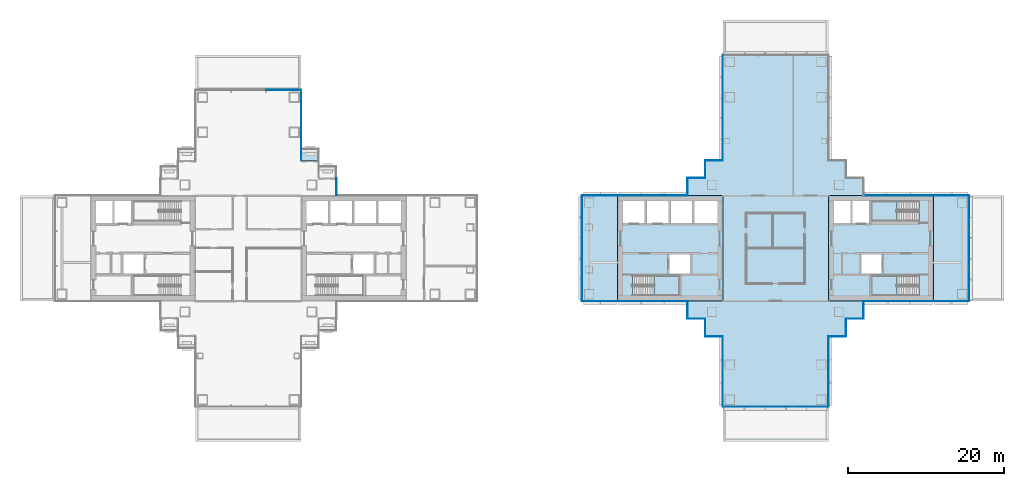
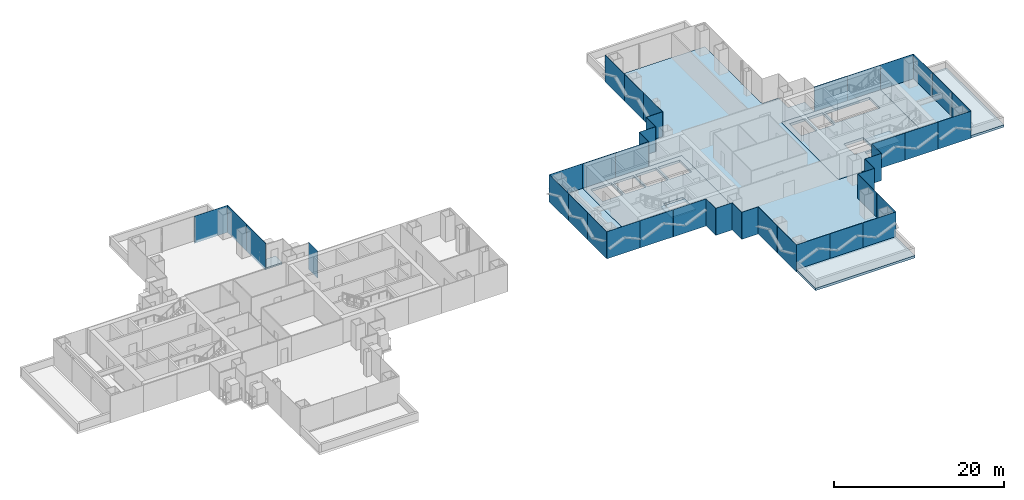
# One storey, part 9 of 20: 44 plates, 11 slabs, 23 elements without a shape of their own.
"""IFC4 building model written with IfcOpenShell, lengths in metres."""

from ifc_helpers import new_model, si_unit, direction, frame, origin, origin_2d, place, context, subcontext, project, spatial, polyline, rectangle, outline, extrude, material, layer, layer_set, type_object, element, aggregate, save


model = new_model("IFC4")

# Units and contexts
model_context = context("Model", 3, precision=1e-05, world=origin(), true_north=direction((0.0, 1.0)))
body_context = subcontext(model_context, "Body", "Model", "MODEL_VIEW")
ifc_project = project(units=[si_unit("LENGTHUNIT", "METRE"), si_unit("AREAUNIT", "SQUARE_METRE"), si_unit("VOLUMEUNIT", "CUBIC_METRE"), si_unit("PLANEANGLEUNIT", "RADIAN"), si_unit("MASSUNIT", "GRAM", prefix="KILO")], contexts=[model_context])

# Site, building, storey
site_placement = place(None, origin())
site = spatial("IfcSite", under=ifc_project, at=site_placement, CompositionType="ELEMENT")
building_placement = place(site_placement, origin())
building = spatial("IfcBuilding", under=site, at=building_placement, Name="Shamsa Quay Exchange Towers", CompositionType="ELEMENT")
storey_placement = place(building_placement, frame((0.0, 0.0, 81.89990234375)))
storey = spatial("IfcBuildingStorey", under=building, at=storey_placement, Name="L18", CompositionType="ELEMENT", Elevation=81.89990234375)

# Slabs
ifc_material_1 = material(Name="Precast concrete C40/50", Category="concrete")
ifc_layer_1 = layer(ifc_material_1, 0.25)
ifc_layer_set_1 = layer_set([ifc_layer_1], Name="BALCONY SLAB 250")
slab_type_1 = type_object("IfcSlabType", Name="BALCONY SLAB 250", PredefinedType="FLOOR", material=ifc_layer_set_1)
slab_1_placement = place(storey_placement, frame((0.0, 0.0, -0.25)))
element("IfcSlab", 1, at=slab_1_placement, inside=storey, type_object=slab_type_1, Name="Balcony T1-PKEN L18", PredefinedType="FLOOR", context=body_context, shape_type="SweptSolid", body=[
    extrude(outline(polyline([(-24.75, 11.25), (-26.9619140625, 11.25), (-26.9619140625, 12.800048828125), (-24.75, 12.800048828125), (-24.75, 11.25)])), origin(), (0.0, 0.0, 1.0), 0.25),
])
ifc_material_2 = material(Name="Concrete C50/60", Category="concrete")
ifc_layer_2 = layer(ifc_material_2, 0.35009765625)
ifc_layer_set_2 = layer_set([ifc_layer_2], Name="CORE FLOOR 350 C50/60")
slab_type_2 = type_object("IfcSlabType", Name="CORE FLOOR 350 C50/60", PredefinedType="FLOOR", material=ifc_layer_set_2)
slab_2_placement = place(storey_placement, frame((0.0, 0.0, -0.349853515625)))
element("IfcSlab", 2, at=slab_2_placement, inside=storey, type_object=slab_type_2, Name="Core floor T2A", PredefinedType="FLOOR", context=body_context, shape_type="SweptSolid", body=[
    extrude(outline(polyline([(13.5, -6.75), (27.0, -6.75), (27.0, 6.75), (13.5, 6.75), (13.5, -6.75)]), holes=[polyline([(15.400634765625, -6.050048828125), (15.400634765625, -3.5), (21.5, -3.5), (21.5, -6.050048828125), (15.400634765625, -6.050048828125)]), polyline([(14.199951171875, 3.25), (14.199951171875, 6.050048828125), (17.0, 6.050048828125), (17.0, 3.25), (14.199951171875, 3.25)]), polyline([(17.25, 3.25), (17.25, 6.050048828125), (20.050048828125, 6.050048828125), (20.050048828125, 3.25), (17.25, 3.25)]), polyline([(20.300048828125, 3.25), (20.300048828125, 6.050048828125), (23.10009765625, 6.050048828125), (23.10009765625, 3.25), (20.300048828125, 3.25)]), polyline([(23.35009765625, 3.25), (23.35009765625, 6.050048828125), (26.300048828125, 6.050048828125), (26.300048828125, 3.25), (23.35009765625, 3.25)]), polyline([(20.14990234375, -3.25), (20.14990234375, -0.75), (22.800048828125, -0.75), (22.800048828125, -3.25), (20.14990234375, -3.25)])]), origin(), (0.0, 0.0, 1.0), 0.349853515625),
])
slab_3_placement = place(storey_placement, frame((0.0, 0.0, -0.349853515625)))
element("IfcSlab", 3, at=slab_3_placement, inside=storey, type_object=slab_type_2, Name="Core floor T2B", PredefinedType="FLOOR", context=body_context, shape_type="SweptSolid", body=[
    extrude(outline(polyline([(54.0, -6.75), (54.0, 6.75), (40.5, 6.75), (40.5, -6.75), (54.0, -6.75)]), holes=[polyline([(52.099365234375, -3.5), (52.099365234375, -6.050048828125), (46.0, -6.050048828125), (46.0, -3.5), (52.099365234375, -3.5)]), polyline([(52.099365234375, 6.050048828125), (52.099365234375, 3.5), (46.0, 3.5), (46.0, 6.050048828125), (52.099365234375, 6.050048828125)]), polyline([(45.75, 3.25), (43.60009765625, 3.25), (43.60009765625, 6.050048828125), (45.75, 6.050048828125), (45.75, 3.25)]), polyline([(43.35009765625, 3.25), (41.199951171875, 3.25), (41.199951171875, 6.050048828125), (43.35009765625, 6.050048828125), (43.35009765625, 3.25)]), polyline([(47.35009765625, -3.25), (44.699951171875, -3.25), (44.699951171875, -0.75), (47.35009765625, -0.75), (47.35009765625, -3.25)])]), origin(), (0.0, 0.0, 1.0), 0.349853515625),
])

# Stair, slab
ifc_material_3 = material(Name="Concrete C40/50", Category="concrete")
stair_type = type_object("IfcStairType", Name="EXIT STAIR 22 RISERS 177 MM", PredefinedType="HALF_TURN_STAIR", material=ifc_material_3)
stair_1_placement = place(storey_placement, origin())
stair_1 = element("IfcStair", 4, at=stair_1_placement, inside=storey, type_object=stair_type, Name="L18 Exit stair ST4", PredefinedType="HALF_TURN_STAIR")
ifc_layer_3 = layer(ifc_material_3, 0.199951171875)
ifc_layer_set_3 = layer_set([ifc_layer_3], Name="CORE STAIR LANDING")
slab_type_3 = type_object("IfcSlabType", Name="CORE STAIR LANDING", PredefinedType="LANDING", material=ifc_layer_set_3)
slab_4_placement = place(storey_placement, frame((0.0, 0.0, 1.75)))
slab_4 = element("IfcSlab", 5, at=slab_4_placement, type_object=slab_type_3, Name="ST4 landing 1", PredefinedType="LANDING", context=body_context, shape_type="SweptSolid", body=[
    extrude(outline(polyline([(18.199951171875, -6.050048828125), (21.5, -6.050048828125), (21.5, -3.5), (18.199951171875, -3.5), (18.199951171875, -6.050048828125)])), origin(), (0.0, 0.0, 1.0), 0.2001953125),
])
aggregate(stair_1, [slab_4])

stair_2_placement = place(storey_placement, origin())
stair_2 = element("IfcStair", 6, at=stair_2_placement, inside=storey, type_object=stair_type, Name="L18 Exit stair ST5", PredefinedType="HALF_TURN_STAIR")
slab_5_placement = place(storey_placement, frame((0.0, 0.0, 1.75)))
slab_5 = element("IfcSlab", 7, at=slab_5_placement, type_object=slab_type_3, Name="ST5 landing 1", PredefinedType="LANDING", context=body_context, shape_type="SweptSolid", body=[
    extrude(outline(polyline([(49.300048828125, -3.5), (46.0, -3.5), (46.0, -6.050048828125), (49.300048828125, -6.050048828125), (49.300048828125, -3.5)])), origin(), (0.0, 0.0, 1.0), 0.2001953125),
])
aggregate(stair_2, [slab_5])

stair_3_placement = place(storey_placement, origin())
stair_3 = element("IfcStair", 8, at=stair_3_placement, inside=storey, type_object=stair_type, Name="L18 Exit stair ST6", PredefinedType="HALF_TURN_STAIR")
slab_6_placement = place(storey_placement, frame((0.0, 0.0, 1.75)))
slab_6 = element("IfcSlab", 9, at=slab_6_placement, type_object=slab_type_3, Name="ST6 landing 1", PredefinedType="LANDING", context=body_context, shape_type="SweptSolid", body=[
    extrude(outline(polyline([(49.300048828125, 6.050048828125), (46.0, 6.050048828125), (46.0, 3.5), (49.300048828125, 3.5), (49.300048828125, 6.050048828125)])), origin(), (0.0, 0.0, 1.0), 0.2001953125),
])
aggregate(stair_3, [slab_6])

# Curtain wall, plates
ifc_material_4 = material(Name="Aluminium EN AW-6063 T6, black anodised", Category="aluminium")
ifc_layer_4 = layer(ifc_material_4, 0.280029296875)
ifc_layer_set_4 = layer_set([ifc_layer_4], Name="CW-1 UNITISED VISION GLASS")
curtain_wall_type_1 = type_object("IfcCurtainWallType", Name="CW-1 UNITISED VISION GLASS", PredefinedType="NOTDEFINED", material=ifc_layer_set_4)
curtain_wall_1_placement = place(storey_placement, origin())
curtain_wall_1 = element("IfcCurtainWall", 10, at=curtain_wall_1_placement, inside=storey, type_object=curtain_wall_type_1, Name="CW1 T1-FLK-V+E L18", PredefinedType="NOTDEFINED")
ifc_material_5 = material(Name="Glass, laminated, dark tinted", Category="glass")
ifc_layer_5 = layer(ifc_material_5, 0.0400390625)
ifc_layer_set_5 = layer_set([ifc_layer_5], Name="CW-1 VISION GLASS 40")
plate_type_1 = type_object("IfcPlateType", Name="CW-1 VISION GLASS 40", PredefinedType="CURTAIN_PANEL", material=ifc_layer_set_5)
plate_1_placement = place(storey_placement, frame((-26.97998046875, 13.52587890625, -0.349853515625), z_axis=(0.0, 0.0, 1.0), x_axis=(0.0, 1.0, 0.0)))
plate_1 = element("IfcPlate", 11, at=plate_1_placement, type_object=plate_type_1, Name="CW1 glass panel", PredefinedType="CURTAIN_PANEL", context=body_context, shape_type="SweptSolid", body=[
    extrude(rectangle(XDim=4.47607421875, YDim=0.0400390625, at=origin_2d()), origin(), (0.0, 0.0, 1.0), 3.89990234375),
])
plate_2_placement = place(storey_placement, frame((-26.97998046875, 18.011962890625, -0.349853515625), z_axis=(0.0, 0.0, 1.0), x_axis=(0.0, 1.0, 0.0)))
plate_2 = element("IfcPlate", 12, at=plate_2_placement, type_object=plate_type_1, Name="CW1 glass panel", PredefinedType="CURTAIN_PANEL", context=body_context, shape_type="SweptSolid", body=[
    extrude(rectangle(XDim=4.47607421875, YDim=0.0400390625, at=origin_2d()), origin(), (0.0, 0.0, 1.0), 3.89990234375),
])
aggregate(curtain_wall_1, [plate_1, plate_2])

# Curtain wall, plate
curtain_wall_2_placement = place(storey_placement, origin())
curtain_wall_2 = element("IfcCurtainWall", 13, at=curtain_wall_2_placement, inside=storey, type_object=curtain_wall_type_1, Name="CW1 T1-END-V+ L18", PredefinedType="NOTDEFINED")
plate_3_placement = place(storey_placement, frame((-29.24755859375, 20.27001953125, -0.349853515625), z_axis=(0.0, 0.0, 1.0), x_axis=(-1.0, 0.0, 0.0)))
plate_3 = element("IfcPlate", 14, at=plate_3_placement, type_object=plate_type_1, Name="CW1 glass panel", PredefinedType="CURTAIN_PANEL", context=body_context, shape_type="SweptSolid", body=[
    extrude(rectangle(XDim=4.4951171875, YDim=0.0400390625, at=origin_2d()), origin(), (0.0, 0.0, 1.0), 3.89990234375),
])
aggregate(curtain_wall_2, [plate_3])

curtain_wall_3_placement = place(storey_placement, origin())
curtain_wall_3 = element("IfcCurtainWall", 15, at=curtain_wall_3_placement, inside=storey, type_object=curtain_wall_type_1, Name="CW1 T2-FLK-V-W L18", PredefinedType="NOTDEFINED")
plate_4_placement = place(storey_placement, frame((56.25, -6.77001953125, -0.349853515625)))
plate_4 = element("IfcPlate", 16, at=plate_4_placement, type_object=plate_type_1, Name="CW1 glass panel", PredefinedType="CURTAIN_PANEL", context=body_context, shape_type="SweptSolid", body=[
    extrude(rectangle(XDim=4.5, YDim=0.0400390625, at=origin_2d()), origin(), (0.0, 0.0, 1.0), 3.89990234375),
])
aggregate(curtain_wall_3, [plate_4])

# Curtain wall, plates
curtain_wall_4_placement = place(storey_placement, origin())
curtain_wall_4 = element("IfcCurtainWall", 17, at=curtain_wall_4_placement, inside=storey, type_object=curtain_wall_type_1, Name="CW1 T2-END-V- L18", PredefinedType="NOTDEFINED")
plate_5_placement = place(storey_placement, frame((58.52001953125, -4.50244140625, -0.349853515625), z_axis=(0.0, 0.0, 1.0), x_axis=(0.0, 1.0, 0.0)))
plate_5 = element("IfcPlate", 18, at=plate_5_placement, type_object=plate_type_1, Name="CW1 glass panel", PredefinedType="CURTAIN_PANEL", context=body_context, shape_type="SweptSolid", body=[
    extrude(rectangle(XDim=4.4951171875, YDim=0.0400390625, at=origin_2d()), origin(), (0.0, 0.0, 1.0), 3.89990234375),
])
plate_6_placement = place(storey_placement, frame((58.52001953125, 0.0, -0.349853515625), z_axis=(0.0, 0.0, 1.0), x_axis=(0.0, 1.0, 0.0)))
plate_6 = element("IfcPlate", 19, at=plate_6_placement, type_object=plate_type_1, Name="CW1 glass panel", PredefinedType="CURTAIN_PANEL", context=body_context, shape_type="SweptSolid", body=[
    extrude(rectangle(XDim=4.489990234375, YDim=0.0400390625, at=origin_2d()), origin(), (0.0, 0.0, 1.0), 3.89990234375),
])
plate_7_placement = place(storey_placement, frame((58.52001953125, 4.50244140625, -0.349853515625), z_axis=(0.0, 0.0, 1.0), x_axis=(0.0, 1.0, 0.0)))
plate_7 = element("IfcPlate", 20, at=plate_7_placement, type_object=plate_type_1, Name="CW1 glass panel", PredefinedType="CURTAIN_PANEL", context=body_context, shape_type="SweptSolid", body=[
    extrude(rectangle(XDim=4.4951171875, YDim=0.0400390625, at=origin_2d()), origin(), (0.0, 0.0, 1.0), 3.89990234375),
])
aggregate(curtain_wall_4, [plate_5, plate_6, plate_7])

# Curtain wall, plate
curtain_wall_5_placement = place(storey_placement, origin())
curtain_wall_5 = element("IfcCurtainWall", 21, at=curtain_wall_5_placement, inside=storey, type_object=curtain_wall_type_1, Name="CW1 T2-FLK-V-E L18", PredefinedType="NOTDEFINED")
plate_8_placement = place(storey_placement, frame((56.25, 6.77001953125, -0.349853515625), z_axis=(0.0, 0.0, 1.0), x_axis=(-1.0, 0.0, 0.0)))
plate_8 = element("IfcPlate", 22, at=plate_8_placement, type_object=plate_type_1, Name="CW1 glass panel", PredefinedType="CURTAIN_PANEL", context=body_context, shape_type="SweptSolid", body=[
    extrude(rectangle(XDim=4.5, YDim=0.0400390625, at=origin_2d()), origin(), (0.0, 0.0, 1.0), 3.89990234375),
])
aggregate(curtain_wall_5, [plate_8])

# Curtain wall, plates
curtain_wall_6_placement = place(storey_placement, origin())
curtain_wall_6 = element("IfcCurtainWall", 23, at=curtain_wall_6_placement, inside=storey, type_object=curtain_wall_type_1, Name="CW1 T2-FLK-U+N L18", PredefinedType="NOTDEFINED")
plate_9_placement = place(storey_placement, frame((26.97998046875, 22.50244140625, -0.349853515625), z_axis=(0.0, 0.0, 1.0), x_axis=(0.0, -1.0, 0.0)))
plate_9 = element("IfcPlate", 24, at=plate_9_placement, type_object=plate_type_1, Name="CW1 glass panel", PredefinedType="CURTAIN_PANEL", context=body_context, shape_type="SweptSolid", body=[
    extrude(rectangle(XDim=4.4951171875, YDim=0.0400390625, at=origin_2d()), origin(), (0.0, 0.0, 1.0), 3.89990234375),
])
plate_10_placement = place(storey_placement, frame((26.97998046875, 18.0, -0.349853515625), z_axis=(0.0, 0.0, 1.0), x_axis=(0.0, -1.0, 0.0)))
plate_10 = element("IfcPlate", 25, at=plate_10_placement, type_object=plate_type_1, Name="CW1 glass panel", PredefinedType="CURTAIN_PANEL", context=body_context, shape_type="SweptSolid", body=[
    extrude(rectangle(XDim=4.489990234375, YDim=0.0400390625, at=origin_2d()), origin(), (0.0, 0.0, 1.0), 3.89990234375),
])
plate_11_placement = place(storey_placement, frame((26.97998046875, 13.49755859375, -0.349853515625), z_axis=(0.0, 0.0, 1.0), x_axis=(0.0, -1.0, 0.0)))
plate_11 = element("IfcPlate", 26, at=plate_11_placement, type_object=plate_type_1, Name="CW1 glass panel", PredefinedType="CURTAIN_PANEL", context=body_context, shape_type="SweptSolid", body=[
    extrude(rectangle(XDim=4.4951171875, YDim=0.0400390625, at=origin_2d()), origin(), (0.0, 0.0, 1.0), 3.89990234375),
])
aggregate(curtain_wall_6, [plate_9, plate_10, plate_11])

# Curtain wall, plate
curtain_wall_7_placement = place(storey_placement, origin())
curtain_wall_7 = element("IfcCurtainWall", 27, at=curtain_wall_7_placement, inside=storey, type_object=curtain_wall_type_1, Name="CW1 T2-FLK-V+E L18", PredefinedType="NOTDEFINED")
plate_12_placement = place(storey_placement, frame((11.25, 6.77001953125, -0.349853515625), z_axis=(0.0, 0.0, 1.0), x_axis=(-1.0, 0.0, 0.0)))
plate_12 = element("IfcPlate", 28, at=plate_12_placement, type_object=plate_type_1, Name="CW1 glass panel", PredefinedType="CURTAIN_PANEL", context=body_context, shape_type="SweptSolid", body=[
    extrude(rectangle(XDim=4.5, YDim=0.0400390625, at=origin_2d()), origin(), (0.0, 0.0, 1.0), 3.89990234375),
])
aggregate(curtain_wall_7, [plate_12])

# Curtain wall, plates
curtain_wall_8_placement = place(storey_placement, origin())
curtain_wall_8 = element("IfcCurtainWall", 29, at=curtain_wall_8_placement, inside=storey, type_object=curtain_wall_type_1, Name="CW1 T2-END-V+ L18", PredefinedType="NOTDEFINED")
plate_13_placement = place(storey_placement, frame((8.97998046875, 4.50244140625, -0.349853515625), z_axis=(0.0, 0.0, 1.0), x_axis=(0.0, -1.0, 0.0)))
plate_13 = element("IfcPlate", 30, at=plate_13_placement, type_object=plate_type_1, Name="CW1 glass panel", PredefinedType="CURTAIN_PANEL", context=body_context, shape_type="SweptSolid", body=[
    extrude(rectangle(XDim=4.4951171875, YDim=0.0400390625, at=origin_2d()), origin(), (0.0, 0.0, 1.0), 3.89990234375),
])
plate_14_placement = place(storey_placement, frame((8.97998046875, 0.0, -0.349853515625), z_axis=(0.0, 0.0, 1.0), x_axis=(0.0, -1.0, 0.0)))
plate_14 = element("IfcPlate", 31, at=plate_14_placement, type_object=plate_type_1, Name="CW1 glass panel", PredefinedType="CURTAIN_PANEL", context=body_context, shape_type="SweptSolid", body=[
    extrude(rectangle(XDim=4.489990234375, YDim=0.0400390625, at=origin_2d()), origin(), (0.0, 0.0, 1.0), 3.89990234375),
])
plate_15_placement = place(storey_placement, frame((8.97998046875, -4.50244140625, -0.349853515625), z_axis=(0.0, 0.0, 1.0), x_axis=(0.0, -1.0, 0.0)))
plate_15 = element("IfcPlate", 32, at=plate_15_placement, type_object=plate_type_1, Name="CW1 glass panel", PredefinedType="CURTAIN_PANEL", context=body_context, shape_type="SweptSolid", body=[
    extrude(rectangle(XDim=4.4951171875, YDim=0.0400390625, at=origin_2d()), origin(), (0.0, 0.0, 1.0), 3.89990234375),
])
aggregate(curtain_wall_8, [plate_13, plate_14, plate_15])

# Curtain wall, plate
curtain_wall_9_placement = place(storey_placement, origin())
curtain_wall_9 = element("IfcCurtainWall", 33, at=curtain_wall_9_placement, inside=storey, type_object=curtain_wall_type_1, Name="CW1 T2-FLK-V+W L18", PredefinedType="NOTDEFINED")
plate_16_placement = place(storey_placement, frame((11.25, -6.77001953125, -0.349853515625)))
plate_16 = element("IfcPlate", 34, at=plate_16_placement, type_object=plate_type_1, Name="CW1 glass panel", PredefinedType="CURTAIN_PANEL", context=body_context, shape_type="SweptSolid", body=[
    extrude(rectangle(XDim=4.5, YDim=0.0400390625, at=origin_2d()), origin(), (0.0, 0.0, 1.0), 3.89990234375),
])
aggregate(curtain_wall_9, [plate_16])

# Curtain wall, plates
curtain_wall_10_placement = place(storey_placement, origin())
curtain_wall_10 = element("IfcCurtainWall", 35, at=curtain_wall_10_placement, inside=storey, type_object=curtain_wall_type_1, Name="CW1 T2-FLK-U-N L18", PredefinedType="NOTDEFINED")
plate_17_placement = place(storey_placement, frame((26.97998046875, -13.52587890625, -0.349853515625), z_axis=(0.0, 0.0, 1.0), x_axis=(0.0, -1.0, 0.0)))
plate_17 = element("IfcPlate", 36, at=plate_17_placement, type_object=plate_type_1, Name="CW1 glass panel", PredefinedType="CURTAIN_PANEL", context=body_context, shape_type="SweptSolid", body=[
    extrude(rectangle(XDim=4.47607421875, YDim=0.0400390625, at=origin_2d()), origin(), (0.0, 0.0, 1.0), 3.89990234375),
])
plate_18_placement = place(storey_placement, frame((26.97998046875, -18.011962890625, -0.349853515625), z_axis=(0.0, 0.0, 1.0), x_axis=(0.0, -1.0, 0.0)))
plate_18 = element("IfcPlate", 37, at=plate_18_placement, type_object=plate_type_1, Name="CW1 glass panel", PredefinedType="CURTAIN_PANEL", context=body_context, shape_type="SweptSolid", body=[
    extrude(rectangle(XDim=4.47607421875, YDim=0.0400390625, at=origin_2d()), origin(), (0.0, 0.0, 1.0), 3.89990234375),
])
aggregate(curtain_wall_10, [plate_17, plate_18])

curtain_wall_11_placement = place(storey_placement, origin())
curtain_wall_11 = element("IfcCurtainWall", 38, at=curtain_wall_11_placement, inside=storey, type_object=curtain_wall_type_1, Name="CW1 T2-END-U- L18", PredefinedType="NOTDEFINED")
plate_19_placement = place(storey_placement, frame((29.24755859375, -20.27001953125, -0.349853515625)))
plate_19 = element("IfcPlate", 39, at=plate_19_placement, type_object=plate_type_1, Name="CW1 glass panel", PredefinedType="CURTAIN_PANEL", context=body_context, shape_type="SweptSolid", body=[
    extrude(rectangle(XDim=4.4951171875, YDim=0.0400390625, at=origin_2d()), origin(), (0.0, 0.0, 1.0), 3.89990234375),
])
plate_20_placement = place(storey_placement, frame((33.75, -20.27001953125, -0.349853515625)))
plate_20 = element("IfcPlate", 40, at=plate_20_placement, type_object=plate_type_1, Name="CW1 glass panel", PredefinedType="CURTAIN_PANEL", context=body_context, shape_type="SweptSolid", body=[
    extrude(rectangle(XDim=4.489990234375, YDim=0.0400390625, at=origin_2d()), origin(), (0.0, 0.0, 1.0), 3.89990234375),
])
plate_21_placement = place(storey_placement, frame((38.25244140625, -20.27001953125, -0.349853515625)))
plate_21 = element("IfcPlate", 41, at=plate_21_placement, type_object=plate_type_1, Name="CW1 glass panel", PredefinedType="CURTAIN_PANEL", context=body_context, shape_type="SweptSolid", body=[
    extrude(rectangle(XDim=4.4951171875, YDim=0.0400390625, at=origin_2d()), origin(), (0.0, 0.0, 1.0), 3.89990234375),
])
aggregate(curtain_wall_11, [plate_19, plate_20, plate_21])

curtain_wall_12_placement = place(storey_placement, origin())
curtain_wall_12 = element("IfcCurtainWall", 42, at=curtain_wall_12_placement, inside=storey, type_object=curtain_wall_type_1, Name="CW1 T2-FLK-U-S L18", PredefinedType="NOTDEFINED")
plate_22_placement = place(storey_placement, frame((40.52001953125, -18.00244140625, -0.349853515625), z_axis=(0.0, 0.0, 1.0), x_axis=(0.0, 1.0, 0.0)))
plate_22 = element("IfcPlate", 43, at=plate_22_placement, type_object=plate_type_1, Name="CW1 glass panel", PredefinedType="CURTAIN_PANEL", context=body_context, shape_type="SweptSolid", body=[
    extrude(rectangle(XDim=4.4951171875, YDim=0.0400390625, at=origin_2d()), origin(), (0.0, 0.0, 1.0), 3.89990234375),
])
plate_23_placement = place(storey_placement, frame((40.52001953125, -13.49755859375, -0.349853515625), z_axis=(0.0, 0.0, 1.0), x_axis=(0.0, 1.0, 0.0)))
plate_23 = element("IfcPlate", 44, at=plate_23_placement, type_object=plate_type_1, Name="CW1 glass panel", PredefinedType="CURTAIN_PANEL", context=body_context, shape_type="SweptSolid", body=[
    extrude(rectangle(XDim=4.4951171875, YDim=0.0400390625, at=origin_2d()), origin(), (0.0, 0.0, 1.0), 3.89990234375),
])
aggregate(curtain_wall_12, [plate_22, plate_23])

ifc_layer_6 = layer(ifc_material_4, 0.303955078125)
ifc_layer_set_6 = layer_set([ifc_layer_6], Name="CW-2 UNITISED OPAQUE SPANDREL GLASS")
curtain_wall_type_2 = type_object("IfcCurtainWallType", Name="CW-2 UNITISED OPAQUE SPANDREL GLASS", PredefinedType="NOTDEFINED", material=ifc_layer_set_6)
curtain_wall_13_placement = place(storey_placement, origin())
curtain_wall_13 = element("IfcCurtainWall", 45, at=curtain_wall_13_placement, inside=storey, type_object=curtain_wall_type_2, Name="CW2 T2-FLK-V-W L18", PredefinedType="NOTDEFINED")
ifc_material_6 = material(Name="Glass, laminated, black enamelled opaque", Category="glass")
ifc_layer_7 = layer(ifc_material_6, 0.0439453125)
ifc_layer_set_7 = layer_set([ifc_layer_7], Name="CW-2 SPANDREL GLASS 44")
plate_type_2 = type_object("IfcPlateType", Name="CW-2 SPANDREL GLASS 44", PredefinedType="CURTAIN_PANEL", material=ifc_layer_set_7)
plate_24_placement = place(storey_placement, frame((47.27587890625, -6.77197265625, -0.349853515625)))
plate_24 = element("IfcPlate", 46, at=plate_24_placement, type_object=plate_type_2, Name="CW2 glass panel", PredefinedType="CURTAIN_PANEL", context=body_context, shape_type="SweptSolid", body=[
    extrude(rectangle(XDim=4.47607421875, YDim=0.0439453125, at=origin_2d()), origin(), (0.0, 0.0, 1.0), 3.89990234375),
])
plate_25_placement = place(storey_placement, frame((51.761962890625, -6.77197265625, -0.349853515625)))
plate_25 = element("IfcPlate", 47, at=plate_25_placement, type_object=plate_type_2, Name="CW2 glass panel", PredefinedType="CURTAIN_PANEL", context=body_context, shape_type="SweptSolid", body=[
    extrude(rectangle(XDim=4.47607421875, YDim=0.0439453125, at=origin_2d()), origin(), (0.0, 0.0, 1.0), 3.89990234375),
])
aggregate(curtain_wall_13, [plate_24, plate_25])

curtain_wall_14_placement = place(storey_placement, origin())
curtain_wall_14 = element("IfcCurtainWall", 48, at=curtain_wall_14_placement, inside=storey, type_object=curtain_wall_type_2, Name="CW2 T2-FLK-V-E L18", PredefinedType="NOTDEFINED")
plate_26_placement = place(storey_placement, frame((51.75244140625, 6.77197265625, -0.349853515625), z_axis=(0.0, 0.0, 1.0), x_axis=(-1.0, 0.0, 0.0)))
plate_26 = element("IfcPlate", 49, at=plate_26_placement, type_object=plate_type_2, Name="CW2 glass panel", PredefinedType="CURTAIN_PANEL", context=body_context, shape_type="SweptSolid", body=[
    extrude(rectangle(XDim=4.4951171875, YDim=0.0439453125, at=origin_2d()), origin(), (0.0, 0.0, 1.0), 3.89990234375),
])
plate_27_placement = place(storey_placement, frame((47.24755859375, 6.77197265625, -0.349853515625), z_axis=(0.0, 0.0, 1.0), x_axis=(-1.0, 0.0, 0.0)))
plate_27 = element("IfcPlate", 50, at=plate_27_placement, type_object=plate_type_2, Name="CW2 glass panel", PredefinedType="CURTAIN_PANEL", context=body_context, shape_type="SweptSolid", body=[
    extrude(rectangle(XDim=4.4951171875, YDim=0.0439453125, at=origin_2d()), origin(), (0.0, 0.0, 1.0), 3.89990234375),
])
aggregate(curtain_wall_14, [plate_26, plate_27])

curtain_wall_15_placement = place(storey_placement, origin())
curtain_wall_15 = element("IfcCurtainWall", 51, at=curtain_wall_15_placement, inside=storey, type_object=curtain_wall_type_2, Name="CW2 T2-FLK-V+E L18", PredefinedType="NOTDEFINED")
plate_28_placement = place(storey_placement, frame((20.22412109375, 6.77197265625, -0.349853515625), z_axis=(0.0, 0.0, 1.0), x_axis=(-1.0, 0.0, 0.0)))
plate_28 = element("IfcPlate", 52, at=plate_28_placement, type_object=plate_type_2, Name="CW2 glass panel", PredefinedType="CURTAIN_PANEL", context=body_context, shape_type="SweptSolid", body=[
    extrude(rectangle(XDim=4.47607421875, YDim=0.0439453125, at=origin_2d()), origin(), (0.0, 0.0, 1.0), 3.89990234375),
])
plate_29_placement = place(storey_placement, frame((15.738037109375, 6.77197265625, -0.349853515625), z_axis=(0.0, 0.0, 1.0), x_axis=(-1.0, 0.0, 0.0)))
plate_29 = element("IfcPlate", 53, at=plate_29_placement, type_object=plate_type_2, Name="CW2 glass panel", PredefinedType="CURTAIN_PANEL", context=body_context, shape_type="SweptSolid", body=[
    extrude(rectangle(XDim=4.47607421875, YDim=0.0439453125, at=origin_2d()), origin(), (0.0, 0.0, 1.0), 3.89990234375),
])
aggregate(curtain_wall_15, [plate_28, plate_29])

curtain_wall_16_placement = place(storey_placement, origin())
curtain_wall_16 = element("IfcCurtainWall", 54, at=curtain_wall_16_placement, inside=storey, type_object=curtain_wall_type_2, Name="CW2 T2-FLK-V+W L18", PredefinedType="NOTDEFINED")
plate_30_placement = place(storey_placement, frame((15.74755859375, -6.77197265625, -0.349853515625)))
plate_30 = element("IfcPlate", 55, at=plate_30_placement, type_object=plate_type_2, Name="CW2 glass panel", PredefinedType="CURTAIN_PANEL", context=body_context, shape_type="SweptSolid", body=[
    extrude(rectangle(XDim=4.4951171875, YDim=0.0439453125, at=origin_2d()), origin(), (0.0, 0.0, 1.0), 3.89990234375),
])
plate_31_placement = place(storey_placement, frame((20.25244140625, -6.77197265625, -0.349853515625)))
plate_31 = element("IfcPlate", 56, at=plate_31_placement, type_object=plate_type_2, Name="CW2 glass panel", PredefinedType="CURTAIN_PANEL", context=body_context, shape_type="SweptSolid", body=[
    extrude(rectangle(XDim=4.4951171875, YDim=0.0439453125, at=origin_2d()), origin(), (0.0, 0.0, 1.0), 3.89990234375),
])
aggregate(curtain_wall_16, [plate_30, plate_31])

# Curtain wall, plate
ifc_layer_8 = layer(ifc_material_4, 0.256103515625)
ifc_layer_set_8 = layer_set([ifc_layer_8], Name="CW-4 POCKET SERRATED GLAZING")
curtain_wall_type_3 = type_object("IfcCurtainWallType", Name="CW-4 POCKET SERRATED GLAZING", PredefinedType="NOTDEFINED", material=ifc_layer_set_8)
curtain_wall_17_placement = place(storey_placement, origin())
curtain_wall_17 = element("IfcCurtainWall", 57, at=curtain_wall_17_placement, inside=storey, type_object=curtain_wall_type_3, Name="CW4 PKEN L18", PredefinedType="NOTDEFINED")
ifc_layer_9 = layer(ifc_material_5, 0.035888671875)
ifc_layer_set_9 = layer_set([ifc_layer_9], Name="CW-4 POCKET GLASS 36")
plate_type_3 = type_object("IfcPlateType", Name="CW-4 POCKET GLASS 36", PredefinedType="CURTAIN_PANEL", material=ifc_layer_set_9)
plate_32_placement = place(storey_placement, frame((-22.48193359375, 7.89794921875, -0.349853515625), z_axis=(0.0, 0.0, 1.0), x_axis=(0.0, 1.0, 0.0)))
plate_32 = element("IfcPlate", 58, at=plate_32_placement, type_object=plate_type_3, Name="CW4 glass panel", PredefinedType="CURTAIN_PANEL", context=body_context, shape_type="SweptSolid", body=[
    extrude(rectangle(XDim=2.2041015625, YDim=0.035888671875, at=origin_2d()), origin(), (0.0, 0.0, 1.0), 3.89990234375),
])
aggregate(curtain_wall_17, [plate_32])

# Curtain wall, plates
curtain_wall_18_placement = place(storey_placement, origin())
curtain_wall_18 = element("IfcCurtainWall", 59, at=curtain_wall_18_placement, inside=storey, type_object=curtain_wall_type_3, Name="CW4 PKWS L18", PredefinedType="NOTDEFINED")
plate_33_placement = place(storey_placement, frame((43.89404296875, -9.01806640625, -0.349853515625)))
plate_33 = element("IfcPlate", 60, at=plate_33_placement, type_object=plate_type_3, Name="CW4 glass panel", PredefinedType="CURTAIN_PANEL", context=body_context, shape_type="SweptSolid", body=[
    extrude(rectangle(XDim=2.2119140625, YDim=0.035888671875, at=origin_2d()), origin(), (0.0, 0.0, 1.0), 3.89990234375),
])
plate_34_placement = place(storey_placement, frame((45.01806640625, -7.875, -0.349853515625), z_axis=(0.0, 0.0, 1.0), x_axis=(0.0, 1.0, 0.0)))
plate_34 = element("IfcPlate", 61, at=plate_34_placement, type_object=plate_type_3, Name="CW4 glass panel", PredefinedType="CURTAIN_PANEL", context=body_context, shape_type="SweptSolid", body=[
    extrude(rectangle(XDim=2.25, YDim=0.035888671875, at=origin_2d()), origin(), (0.0, 0.0, 1.0), 3.89990234375),
])
plate_35_placement = place(storey_placement, frame((41.64599609375, -11.26806640625, -0.349853515625)))
plate_35 = element("IfcPlate", 62, at=plate_35_placement, type_object=plate_type_3, Name="CW4 glass panel", PredefinedType="CURTAIN_PANEL", context=body_context, shape_type="SweptSolid", body=[
    extrude(rectangle(XDim=2.2080078125, YDim=0.035888671875, at=origin_2d()), origin(), (0.0, 0.0, 1.0), 3.89990234375),
])
plate_36_placement = place(storey_placement, frame((42.76806640625, -10.125, -0.349853515625), z_axis=(0.0, 0.0, 1.0), x_axis=(0.0, 1.0, 0.0)))
plate_36 = element("IfcPlate", 63, at=plate_36_placement, type_object=plate_type_3, Name="CW4 glass panel", PredefinedType="CURTAIN_PANEL", context=body_context, shape_type="SweptSolid", body=[
    extrude(rectangle(XDim=2.25, YDim=0.035888671875, at=origin_2d()), origin(), (0.0, 0.0, 1.0), 3.89990234375),
])
aggregate(curtain_wall_18, [plate_33, plate_34, plate_35, plate_36])

curtain_wall_19_placement = place(storey_placement, origin())
curtain_wall_19 = element("IfcCurtainWall", 64, at=curtain_wall_19_placement, inside=storey, type_object=curtain_wall_type_3, Name="CW4 PKEN L18", PredefinedType="NOTDEFINED")
plate_37_placement = place(storey_placement, frame((25.85400390625, 11.26806640625, -0.349853515625), z_axis=(0.0, 0.0, 1.0), x_axis=(-1.0, 0.0, 0.0)))
plate_37 = element("IfcPlate", 65, at=plate_37_placement, type_object=plate_type_3, Name="CW4 glass panel", PredefinedType="CURTAIN_PANEL", context=body_context, shape_type="SweptSolid", body=[
    extrude(rectangle(XDim=2.2080078125, YDim=0.035888671875, at=origin_2d()), origin(), (0.0, 0.0, 1.0), 3.89990234375),
])
plate_38_placement = place(storey_placement, frame((24.73193359375, 10.125, -0.349853515625), z_axis=(0.0, 0.0, 1.0), x_axis=(0.0, -1.0, 0.0)))
plate_38 = element("IfcPlate", 66, at=plate_38_placement, type_object=plate_type_3, Name="CW4 glass panel", PredefinedType="CURTAIN_PANEL", context=body_context, shape_type="SweptSolid", body=[
    extrude(rectangle(XDim=2.25, YDim=0.035888671875, at=origin_2d()), origin(), (0.0, 0.0, 1.0), 3.89990234375),
])
plate_39_placement = place(storey_placement, frame((23.60595703125, 9.01806640625, -0.349853515625), z_axis=(0.0, 0.0, 1.0), x_axis=(-1.0, 0.0, 0.0)))
plate_39 = element("IfcPlate", 67, at=plate_39_placement, type_object=plate_type_3, Name="CW4 glass panel", PredefinedType="CURTAIN_PANEL", context=body_context, shape_type="SweptSolid", body=[
    extrude(rectangle(XDim=2.2119140625, YDim=0.035888671875, at=origin_2d()), origin(), (0.0, 0.0, 1.0), 3.89990234375),
])
plate_40_placement = place(storey_placement, frame((22.48193359375, 7.875, -0.349853515625), z_axis=(0.0, 0.0, 1.0), x_axis=(0.0, -1.0, 0.0)))
plate_40 = element("IfcPlate", 68, at=plate_40_placement, type_object=plate_type_3, Name="CW4 glass panel", PredefinedType="CURTAIN_PANEL", context=body_context, shape_type="SweptSolid", body=[
    extrude(rectangle(XDim=2.25, YDim=0.035888671875, at=origin_2d()), origin(), (0.0, 0.0, 1.0), 3.89990234375),
])
aggregate(curtain_wall_19, [plate_37, plate_38, plate_39, plate_40])

curtain_wall_20_placement = place(storey_placement, origin())
curtain_wall_20 = element("IfcCurtainWall", 69, at=curtain_wall_20_placement, inside=storey, type_object=curtain_wall_type_3, Name="CW4 PKWN L18", PredefinedType="NOTDEFINED")
plate_41_placement = place(storey_placement, frame((22.48193359375, -7.89794921875, -0.349853515625), z_axis=(0.0, 0.0, 1.0), x_axis=(0.0, -1.0, 0.0)))
plate_41 = element("IfcPlate", 70, at=plate_41_placement, type_object=plate_type_3, Name="CW4 glass panel", PredefinedType="CURTAIN_PANEL", context=body_context, shape_type="SweptSolid", body=[
    extrude(rectangle(XDim=2.2041015625, YDim=0.035888671875, at=origin_2d()), origin(), (0.0, 0.0, 1.0), 3.89990234375),
])
plate_42_placement = place(storey_placement, frame((23.625, -9.01806640625, -0.349853515625)))
plate_42 = element("IfcPlate", 71, at=plate_42_placement, type_object=plate_type_3, Name="CW4 glass panel", PredefinedType="CURTAIN_PANEL", context=body_context, shape_type="SweptSolid", body=[
    extrude(rectangle(XDim=2.25, YDim=0.035888671875, at=origin_2d()), origin(), (0.0, 0.0, 1.0), 3.89990234375),
])
plate_43_placement = place(storey_placement, frame((24.73193359375, -10.14404296875, -0.349853515625), z_axis=(0.0, 0.0, 1.0), x_axis=(0.0, -1.0, 0.0)))
plate_43 = element("IfcPlate", 72, at=plate_43_placement, type_object=plate_type_3, Name="CW4 glass panel", PredefinedType="CURTAIN_PANEL", context=body_context, shape_type="SweptSolid", body=[
    extrude(rectangle(XDim=2.2119140625, YDim=0.035888671875, at=origin_2d()), origin(), (0.0, 0.0, 1.0), 3.89990234375),
])
plate_44_placement = place(storey_placement, frame((25.875, -11.26806640625, -0.349853515625)))
plate_44 = element("IfcPlate", 73, at=plate_44_placement, type_object=plate_type_3, Name="CW4 glass panel", PredefinedType="CURTAIN_PANEL", context=body_context, shape_type="SweptSolid", body=[
    extrude(rectangle(XDim=2.25, YDim=0.035888671875, at=origin_2d()), origin(), (0.0, 0.0, 1.0), 3.89990234375),
])
aggregate(curtain_wall_20, [plate_41, plate_42, plate_43, plate_44])

# Slabs
ifc_layer_10 = layer(ifc_material_3, 0.35009765625)
ifc_layer_set_10 = layer_set([ifc_layer_10], Name="Flat slab 350")
slab_type_4 = type_object("IfcSlabType", Name="Flat slab 350", PredefinedType="FLOOR", material=ifc_layer_set_10)
slab_7_placement = place(storey_placement, frame((0.0, 0.0, -0.349853515625)))
element("IfcSlab", 74, at=slab_7_placement, inside=storey, type_object=slab_type_4, Name="Flat slab T2 L18 4", PredefinedType="FLOOR", context=body_context, shape_type="SweptSolid", body=[
    extrude(outline(polyline([(9.0, -6.75), (13.5, -6.75), (13.5, 6.75), (9.0, 6.75), (9.0, -6.75)])), origin(), (0.0, 0.0, 1.0), 0.349853515625),
])
slab_8_placement = place(storey_placement, frame((0.0, 0.0, -0.349853515625)))
element("IfcSlab", 75, at=slab_8_placement, inside=storey, type_object=slab_type_4, Name="Flat slab T2 L18 5", PredefinedType="FLOOR", context=body_context, shape_type="SweptSolid", body=[
    extrude(outline(polyline([(45.0, -9.0), (45.0, -6.75), (40.5, -6.75), (40.5, 6.75), (45.0, 6.75), (45.0, 9.0), (42.75, 9.0), (42.75, 11.25), (40.5, 11.25), (40.5, 24.75), (27.0, 24.75), (27.0, 11.25), (24.75, 11.25), (24.75, 9.0), (22.5, 9.0), (22.5, 6.75), (27.0, 6.75), (27.0, -6.75), (22.5, -6.75), (22.5, -9.0), (24.75, -9.0), (24.75, -11.25), (27.0, -11.25), (27.0, -20.25), (40.5, -20.25), (40.5, -11.25), (42.75, -11.25), (42.75, -9.0), (45.0, -9.0)])), origin(), (0.0, 0.0, 1.0), 0.349853515625),
])
slab_9_placement = place(storey_placement, frame((0.0, 0.0, -0.349853515625)))
element("IfcSlab", 76, at=slab_9_placement, inside=storey, type_object=slab_type_4, Name="Flat slab T2 L18 6", PredefinedType="FLOOR", context=body_context, shape_type="SweptSolid", body=[
    extrude(outline(polyline([(58.5, 6.75), (54.0, 6.75), (54.0, -6.75), (58.5, -6.75), (58.5, 6.75)])), origin(), (0.0, 0.0, 1.0), 0.349853515625),
])
ifc_layer_11 = layer(ifc_material_3, 0.35009765625)
ifc_layer_set_11 = layer_set([ifc_layer_11], Name="Terrace roof slab 350")
slab_type_5 = type_object("IfcSlabType", Name="Terrace roof slab 350", PredefinedType="ROOF", material=ifc_layer_set_11)
slab_10_placement = place(storey_placement, frame((0.0, 0.0, -0.349853515625)))
element("IfcSlab", 77, at=slab_10_placement, inside=storey, type_object=slab_type_5, Name="Roof slab T2 over L17 4", PredefinedType="ROOF", context=body_context, shape_type="SweptSolid", body=[
    extrude(outline(polyline([(40.5, -24.75), (40.5, -20.25), (27.0, -20.25), (27.0, -24.75), (40.5, -24.75)])), origin(), (0.0, 0.0, 1.0), 0.349853515625),
])
slab_11_placement = place(storey_placement, frame((0.0, 0.0, -0.349853515625)))
element("IfcSlab", 78, at=slab_11_placement, inside=storey, type_object=slab_type_5, Name="Roof slab T2 over L17 6", PredefinedType="ROOF", context=body_context, shape_type="SweptSolid", body=[
    extrude(outline(polyline([(63.0, 6.75), (58.5, 6.75), (58.5, -6.75), (63.0, -6.75), (63.0, 6.75)])), origin(), (0.0, 0.0, 1.0), 0.349853515625),
])

save(model, "model.ifc")
